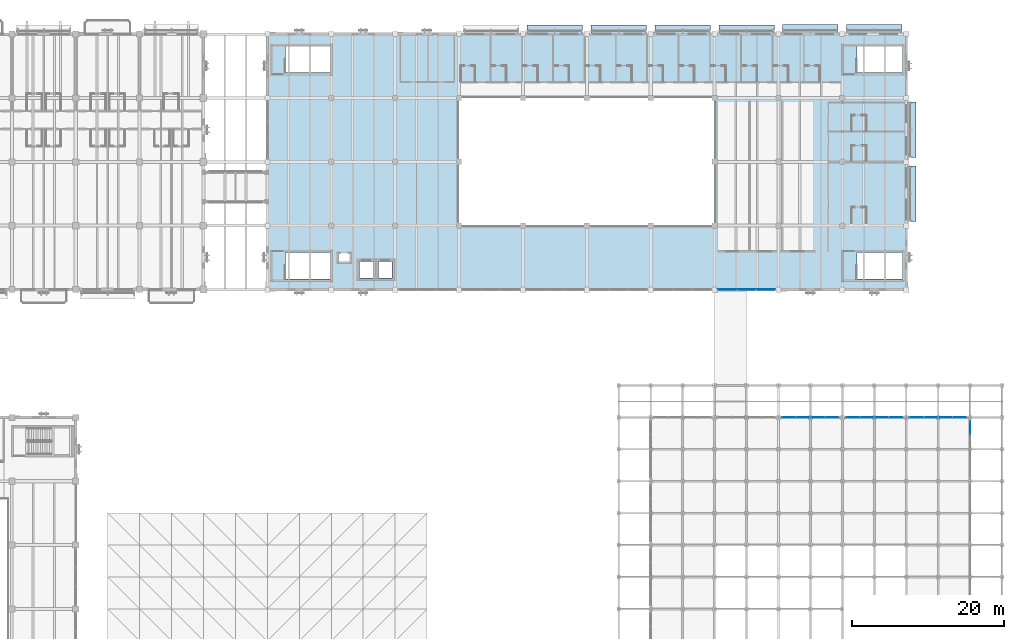
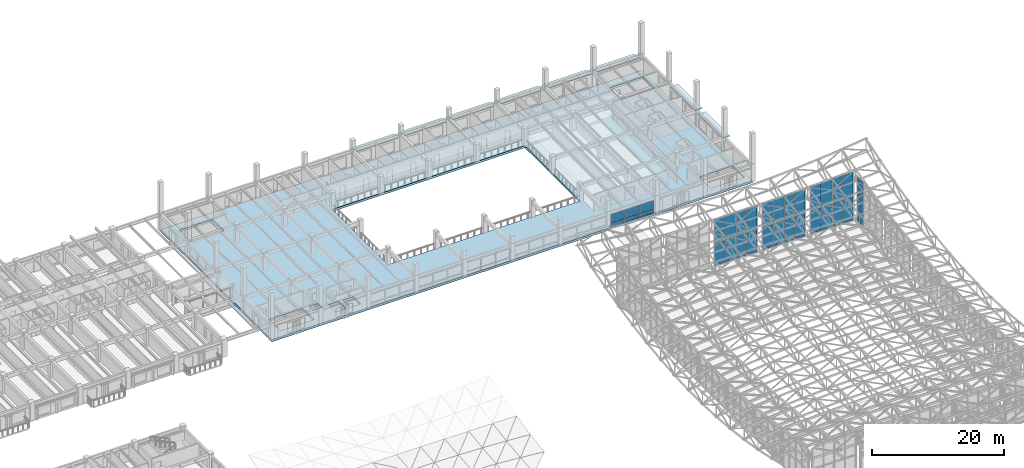
# One storey, part 72 of 123: 40 plates, 1 slab, 16 elements without a shape of their own.
"""IFC4 building model written with IfcOpenShell, lengths in metres."""

from ifc_helpers import new_model, si_unit, direction, frame, origin, origin_2d, place, context, subcontext, project, spatial, polyline, rectangle, outline, extrude, material, layer, layer_set, type_object, element, aggregate, save


model = new_model("IFC4")

# Units and contexts
model_context = context("Model", 3, precision=1e-05, world=origin(), true_north=direction((0.0, 1.0)))
body_context = subcontext(model_context, "Body", "Model", "MODEL_VIEW")
ifc_project = project(units=[si_unit("LENGTHUNIT", "METRE"), si_unit("AREAUNIT", "SQUARE_METRE"), si_unit("VOLUMEUNIT", "CUBIC_METRE"), si_unit("PLANEANGLEUNIT", "RADIAN"), si_unit("MASSUNIT", "GRAM", prefix="KILO")], contexts=[model_context])

# Site, building, storey
site_placement = place(None, origin())
site = spatial("IfcSite", under=ifc_project, at=site_placement, CompositionType="ELEMENT")
building_placement = place(site_placement, origin())
building = spatial("IfcBuilding", under=site, at=building_placement, Name="Cumbredor Promenade Congress Hotel", CompositionType="ELEMENT")
storey_placement = place(building_placement, frame((0.0, 0.0, 11.760009765625)))
storey = spatial("IfcBuildingStorey", under=building, at=storey_placement, Name="L03", CompositionType="ELEMENT", Elevation=11.760009765625)

# Curtain wall, plates
ifc_material_1 = material(Name="Thermally broken anodized aluminium and low-E glass", Category="aluminium")
curtain_wall_type_1 = type_object("IfcCurtainWallType", Name="Stepped Pavilion Clerestory Curtain Wall CW-06", PredefinedType="NOTDEFINED", material=ifc_material_1)
curtain_wall_1_placement = place(storey_placement, origin())
curtain_wall_1 = element("IfcCurtainWall", 1, at=curtain_wall_1_placement, inside=storey, type_object=curtain_wall_type_1, Name="Grand Ballroom Pavilion N Glazed Clerestory 5", PredefinedType="NOTDEFINED")
ifc_material_2 = material(Name="Laminated low-E solar-control glass", Category="glass")
ifc_layer_1 = layer(ifc_material_2, 0.031982421875, Name="Laminated low-E solar-control glass", Category="glass")
ifc_layer_set_1 = layer_set([ifc_layer_1], Name="Laminated low-E solar-control glass")
plate_type_1 = type_object("IfcPlateType", Name="Clerestory Glazed Vision Panel PNL-07", PredefinedType="CURTAIN_PANEL", material=ifc_layer_set_1)
plate_1_placement = place(storey_placement, frame((160.969970703125, 67.199951171875, 0.169921875), z_axis=(0.0, 0.0, 1.0), x_axis=(1.0, 0.0, 0.0)))
plate_1 = element("IfcPlate", 2, at=plate_1_placement, type_object=plate_type_1, Name="Grand Ballroom Pavilion N Glazed Clerestory 5 Glazing Panel 1.1", PredefinedType="CURTAIN_PANEL", context=body_context, shape_type="SweptSolid", body=[
    extrude(rectangle(XDim=1.77490234375, YDim=0.031982421875, at=origin_2d()), origin(), (0.0, 0.0, 1.0), 4.179931640625),
])
plate_2_placement = place(storey_placement, frame((160.969970703125, 67.199951171875, 4.530029296875), z_axis=(0.0, 0.0, 1.0), x_axis=(1.0, 0.0, 0.0)))
plate_2 = element("IfcPlate", 3, at=plate_2_placement, type_object=plate_type_1, Name="Grand Ballroom Pavilion N Glazed Clerestory 5 Glazing Panel 1.2", PredefinedType="CURTAIN_PANEL", context=body_context, shape_type="SweptSolid", body=[
    extrude(rectangle(XDim=1.77490234375, YDim=0.031982421875, at=origin_2d()), origin(), (0.0, 0.0, 1.0), 4.169921875),
])
plate_3_placement = place(storey_placement, frame((162.830078125, 67.199951171875, 0.169921875), z_axis=(0.0, 0.0, 1.0), x_axis=(1.0, 0.0, 0.0)))
plate_3 = element("IfcPlate", 4, at=plate_3_placement, type_object=plate_type_1, Name="Grand Ballroom Pavilion N Glazed Clerestory 5 Glazing Panel 2.1", PredefinedType="CURTAIN_PANEL", context=body_context, shape_type="SweptSolid", body=[
    extrude(rectangle(XDim=1.77490234375, YDim=0.031982421875, at=origin_2d()), origin(), (0.0, 0.0, 1.0), 4.179931640625),
])
plate_4_placement = place(storey_placement, frame((162.830078125, 67.199951171875, 4.530029296875), z_axis=(0.0, 0.0, 1.0), x_axis=(1.0, 0.0, 0.0)))
plate_4 = element("IfcPlate", 5, at=plate_4_placement, type_object=plate_type_1, Name="Grand Ballroom Pavilion N Glazed Clerestory 5 Glazing Panel 2.2", PredefinedType="CURTAIN_PANEL", context=body_context, shape_type="SweptSolid", body=[
    extrude(rectangle(XDim=1.77490234375, YDim=0.031982421875, at=origin_2d()), origin(), (0.0, 0.0, 1.0), 4.169921875),
])
aggregate(curtain_wall_1, [plate_1, plate_2, plate_3, plate_4])

curtain_wall_2_placement = place(storey_placement, origin())
curtain_wall_2 = element("IfcCurtainWall", 6, at=curtain_wall_2_placement, inside=storey, type_object=curtain_wall_type_1, Name="Grand Ballroom Pavilion N Glazed Clerestory 6", PredefinedType="NOTDEFINED")
plate_5_placement = place(storey_placement, frame((164.77001953125, 67.199951171875, 0.169921875), z_axis=(0.0, 0.0, 1.0), x_axis=(1.0, 0.0, 0.0)))
plate_5 = element("IfcPlate", 7, at=plate_5_placement, type_object=plate_type_1, Name="Grand Ballroom Pavilion N Glazed Clerestory 6 Glazing Panel 1.1", PredefinedType="CURTAIN_PANEL", context=body_context, shape_type="SweptSolid", body=[
    extrude(rectangle(XDim=1.77490234375, YDim=0.031982421875, at=origin_2d()), origin(), (0.0, 0.0, 1.0), 4.179931640625),
])
plate_6_placement = place(storey_placement, frame((164.77001953125, 67.199951171875, 4.530029296875), z_axis=(0.0, 0.0, 1.0), x_axis=(1.0, 0.0, 0.0)))
plate_6 = element("IfcPlate", 8, at=plate_6_placement, type_object=plate_type_1, Name="Grand Ballroom Pavilion N Glazed Clerestory 6 Glazing Panel 1.2", PredefinedType="CURTAIN_PANEL", context=body_context, shape_type="SweptSolid", body=[
    extrude(rectangle(XDim=1.77490234375, YDim=0.031982421875, at=origin_2d()), origin(), (0.0, 0.0, 1.0), 4.169921875),
])
plate_7_placement = place(storey_placement, frame((166.6298828125, 67.199951171875, 0.169921875), z_axis=(0.0, 0.0, 1.0), x_axis=(1.0, 0.0, 0.0)))
plate_7 = element("IfcPlate", 9, at=plate_7_placement, type_object=plate_type_1, Name="Grand Ballroom Pavilion N Glazed Clerestory 6 Glazing Panel 2.1", PredefinedType="CURTAIN_PANEL", context=body_context, shape_type="SweptSolid", body=[
    extrude(rectangle(XDim=1.77490234375, YDim=0.031982421875, at=origin_2d()), origin(), (0.0, 0.0, 1.0), 4.179931640625),
])
plate_8_placement = place(storey_placement, frame((166.6298828125, 67.199951171875, 4.530029296875), z_axis=(0.0, 0.0, 1.0), x_axis=(1.0, 0.0, 0.0)))
plate_8 = element("IfcPlate", 10, at=plate_8_placement, type_object=plate_type_1, Name="Grand Ballroom Pavilion N Glazed Clerestory 6 Glazing Panel 2.2", PredefinedType="CURTAIN_PANEL", context=body_context, shape_type="SweptSolid", body=[
    extrude(rectangle(XDim=1.77490234375, YDim=0.031982421875, at=origin_2d()), origin(), (0.0, 0.0, 1.0), 4.169921875),
])
aggregate(curtain_wall_2, [plate_5, plate_6, plate_7, plate_8])

curtain_wall_3_placement = place(storey_placement, origin())
curtain_wall_3 = element("IfcCurtainWall", 11, at=curtain_wall_3_placement, inside=storey, type_object=curtain_wall_type_1, Name="Grand Ballroom Pavilion N Glazed Clerestory 7", PredefinedType="NOTDEFINED")
plate_9_placement = place(storey_placement, frame((169.3701171875, 67.199951171875, 0.169921875), z_axis=(0.0, 0.0, 1.0), x_axis=(1.0, 0.0, 0.0)))
plate_9 = element("IfcPlate", 12, at=plate_9_placement, type_object=plate_type_1, Name="Grand Ballroom Pavilion N Glazed Clerestory 7 Glazing Panel 1.1", PredefinedType="CURTAIN_PANEL", context=body_context, shape_type="SweptSolid", body=[
    extrude(rectangle(XDim=1.77490234375, YDim=0.031982421875, at=origin_2d()), origin(), (0.0, 0.0, 1.0), 4.179931640625),
])
plate_10_placement = place(storey_placement, frame((169.3701171875, 67.199951171875, 4.530029296875), z_axis=(0.0, 0.0, 1.0), x_axis=(1.0, 0.0, 0.0)))
plate_10 = element("IfcPlate", 13, at=plate_10_placement, type_object=plate_type_1, Name="Grand Ballroom Pavilion N Glazed Clerestory 7 Glazing Panel 1.2", PredefinedType="CURTAIN_PANEL", context=body_context, shape_type="SweptSolid", body=[
    extrude(rectangle(XDim=1.77490234375, YDim=0.031982421875, at=origin_2d()), origin(), (0.0, 0.0, 1.0), 4.18994140625),
])
plate_11_placement = place(storey_placement, frame((171.22998046875, 67.199951171875, 0.169921875), z_axis=(0.0, 0.0, 1.0), x_axis=(1.0, 0.0, 0.0)))
plate_11 = element("IfcPlate", 14, at=plate_11_placement, type_object=plate_type_1, Name="Grand Ballroom Pavilion N Glazed Clerestory 7 Glazing Panel 2.1", PredefinedType="CURTAIN_PANEL", context=body_context, shape_type="SweptSolid", body=[
    extrude(rectangle(XDim=1.77490234375, YDim=0.031982421875, at=origin_2d()), origin(), (0.0, 0.0, 1.0), 4.179931640625),
])
plate_12_placement = place(storey_placement, frame((171.22998046875, 67.199951171875, 4.530029296875), z_axis=(0.0, 0.0, 1.0), x_axis=(1.0, 0.0, 0.0)))
plate_12 = element("IfcPlate", 15, at=plate_12_placement, type_object=plate_type_1, Name="Grand Ballroom Pavilion N Glazed Clerestory 7 Glazing Panel 2.2", PredefinedType="CURTAIN_PANEL", context=body_context, shape_type="SweptSolid", body=[
    extrude(rectangle(XDim=1.77490234375, YDim=0.031982421875, at=origin_2d()), origin(), (0.0, 0.0, 1.0), 4.18994140625),
])
aggregate(curtain_wall_3, [plate_9, plate_10, plate_11, plate_12])

curtain_wall_4_placement = place(storey_placement, origin())
curtain_wall_4 = element("IfcCurtainWall", 16, at=curtain_wall_4_placement, inside=storey, type_object=curtain_wall_type_1, Name="Grand Ballroom Pavilion N Glazed Clerestory 8", PredefinedType="NOTDEFINED")
plate_13_placement = place(storey_placement, frame((173.169921875, 67.199951171875, 0.169921875), z_axis=(0.0, 0.0, 1.0), x_axis=(1.0, 0.0, 0.0)))
plate_13 = element("IfcPlate", 17, at=plate_13_placement, type_object=plate_type_1, Name="Grand Ballroom Pavilion N Glazed Clerestory 8 Glazing Panel 1.1", PredefinedType="CURTAIN_PANEL", context=body_context, shape_type="SweptSolid", body=[
    extrude(rectangle(XDim=1.77490234375, YDim=0.031982421875, at=origin_2d()), origin(), (0.0, 0.0, 1.0), 4.219970703125),
])
plate_14_placement = place(storey_placement, frame((173.169921875, 67.199951171875, 4.570068359375), z_axis=(0.0, 0.0, 1.0), x_axis=(1.0, 0.0, 0.0)))
plate_14 = element("IfcPlate", 18, at=plate_14_placement, type_object=plate_type_1, Name="Grand Ballroom Pavilion N Glazed Clerestory 8 Glazing Panel 1.2", PredefinedType="CURTAIN_PANEL", context=body_context, shape_type="SweptSolid", body=[
    extrude(rectangle(XDim=1.77490234375, YDim=0.031982421875, at=origin_2d()), origin(), (0.0, 0.0, 1.0), 4.22998046875),
])
plate_15_placement = place(storey_placement, frame((175.030029296875, 67.199951171875, 0.169921875), z_axis=(0.0, 0.0, 1.0), x_axis=(1.0, 0.0, 0.0)))
plate_15 = element("IfcPlate", 19, at=plate_15_placement, type_object=plate_type_1, Name="Grand Ballroom Pavilion N Glazed Clerestory 8 Glazing Panel 2.1", PredefinedType="CURTAIN_PANEL", context=body_context, shape_type="SweptSolid", body=[
    extrude(rectangle(XDim=1.77490234375, YDim=0.031982421875, at=origin_2d()), origin(), (0.0, 0.0, 1.0), 4.219970703125),
])
plate_16_placement = place(storey_placement, frame((175.030029296875, 67.199951171875, 4.570068359375), z_axis=(0.0, 0.0, 1.0), x_axis=(1.0, 0.0, 0.0)))
plate_16 = element("IfcPlate", 20, at=plate_16_placement, type_object=plate_type_1, Name="Grand Ballroom Pavilion N Glazed Clerestory 8 Glazing Panel 2.2", PredefinedType="CURTAIN_PANEL", context=body_context, shape_type="SweptSolid", body=[
    extrude(rectangle(XDim=1.77490234375, YDim=0.031982421875, at=origin_2d()), origin(), (0.0, 0.0, 1.0), 4.22998046875),
])
aggregate(curtain_wall_4, [plate_13, plate_14, plate_15, plate_16])

curtain_wall_5_placement = place(storey_placement, origin())
curtain_wall_5 = element("IfcCurtainWall", 21, at=curtain_wall_5_placement, inside=storey, type_object=curtain_wall_type_1, Name="Grand Ballroom Pavilion N Glazed Clerestory 9", PredefinedType="NOTDEFINED")
plate_17_placement = place(storey_placement, frame((177.77001953125, 67.199951171875, 0.169921875), z_axis=(0.0, 0.0, 1.0), x_axis=(1.0, 0.0, 0.0)))
plate_17 = element("IfcPlate", 22, at=plate_17_placement, type_object=plate_type_1, Name="Grand Ballroom Pavilion N Glazed Clerestory 9 Glazing Panel 1.1", PredefinedType="CURTAIN_PANEL", context=body_context, shape_type="SweptSolid", body=[
    extrude(rectangle(XDim=1.77490234375, YDim=0.031982421875, at=origin_2d()), origin(), (0.0, 0.0, 1.0), 4.280029296875),
])
plate_18_placement = place(storey_placement, frame((177.77001953125, 67.199951171875, 4.6298828125), z_axis=(0.0, 0.0, 1.0), x_axis=(1.0, 0.0, 0.0)))
plate_18 = element("IfcPlate", 23, at=plate_18_placement, type_object=plate_type_1, Name="Grand Ballroom Pavilion N Glazed Clerestory 9 Glazing Panel 1.2", PredefinedType="CURTAIN_PANEL", context=body_context, shape_type="SweptSolid", body=[
    extrude(rectangle(XDim=1.77490234375, YDim=0.031982421875, at=origin_2d()), origin(), (0.0, 0.0, 1.0), 4.2900390625),
])
plate_19_placement = place(storey_placement, frame((179.6298828125, 67.199951171875, 0.169921875), z_axis=(0.0, 0.0, 1.0), x_axis=(1.0, 0.0, 0.0)))
plate_19 = element("IfcPlate", 24, at=plate_19_placement, type_object=plate_type_1, Name="Grand Ballroom Pavilion N Glazed Clerestory 9 Glazing Panel 2.1", PredefinedType="CURTAIN_PANEL", context=body_context, shape_type="SweptSolid", body=[
    extrude(rectangle(XDim=1.77490234375, YDim=0.031982421875, at=origin_2d()), origin(), (0.0, 0.0, 1.0), 4.280029296875),
])
plate_20_placement = place(storey_placement, frame((179.6298828125, 67.199951171875, 4.6298828125), z_axis=(0.0, 0.0, 1.0), x_axis=(1.0, 0.0, 0.0)))
plate_20 = element("IfcPlate", 25, at=plate_20_placement, type_object=plate_type_1, Name="Grand Ballroom Pavilion N Glazed Clerestory 9 Glazing Panel 2.2", PredefinedType="CURTAIN_PANEL", context=body_context, shape_type="SweptSolid", body=[
    extrude(rectangle(XDim=1.77490234375, YDim=0.031982421875, at=origin_2d()), origin(), (0.0, 0.0, 1.0), 4.2900390625),
])
aggregate(curtain_wall_5, [plate_17, plate_18, plate_19, plate_20])

curtain_wall_6_placement = place(storey_placement, origin())
curtain_wall_6 = element("IfcCurtainWall", 26, at=curtain_wall_6_placement, inside=storey, type_object=curtain_wall_type_1, Name="Grand Ballroom Pavilion N Glazed Clerestory 10", PredefinedType="NOTDEFINED")
plate_21_placement = place(storey_placement, frame((181.570068359375, 67.199951171875, 0.169921875), z_axis=(0.0, 0.0, 1.0), x_axis=(1.0, 0.0, 0.0)))
plate_21 = element("IfcPlate", 27, at=plate_21_placement, type_object=plate_type_1, Name="Grand Ballroom Pavilion N Glazed Clerestory 10 Glazing Panel 1.1", PredefinedType="CURTAIN_PANEL", context=body_context, shape_type="SweptSolid", body=[
    extrude(rectangle(XDim=1.77490234375, YDim=0.031982421875, at=origin_2d()), origin(), (0.0, 0.0, 1.0), 4.3701171875),
])
plate_22_placement = place(storey_placement, frame((181.570068359375, 67.199951171875, 4.719970703125), z_axis=(0.0, 0.0, 1.0), x_axis=(1.0, 0.0, 0.0)))
plate_22 = element("IfcPlate", 28, at=plate_22_placement, type_object=plate_type_1, Name="Grand Ballroom Pavilion N Glazed Clerestory 10 Glazing Panel 1.2", PredefinedType="CURTAIN_PANEL", context=body_context, shape_type="SweptSolid", body=[
    extrude(rectangle(XDim=1.77490234375, YDim=0.031982421875, at=origin_2d()), origin(), (0.0, 0.0, 1.0), 4.3701171875),
])
plate_23_placement = place(storey_placement, frame((183.429931640625, 67.199951171875, 0.169921875), z_axis=(0.0, 0.0, 1.0), x_axis=(1.0, 0.0, 0.0)))
plate_23 = element("IfcPlate", 29, at=plate_23_placement, type_object=plate_type_1, Name="Grand Ballroom Pavilion N Glazed Clerestory 10 Glazing Panel 2.1", PredefinedType="CURTAIN_PANEL", context=body_context, shape_type="SweptSolid", body=[
    extrude(rectangle(XDim=1.77490234375, YDim=0.031982421875, at=origin_2d()), origin(), (0.0, 0.0, 1.0), 4.3701171875),
])
plate_24_placement = place(storey_placement, frame((183.429931640625, 67.199951171875, 4.719970703125), z_axis=(0.0, 0.0, 1.0), x_axis=(1.0, 0.0, 0.0)))
plate_24 = element("IfcPlate", 30, at=plate_24_placement, type_object=plate_type_1, Name="Grand Ballroom Pavilion N Glazed Clerestory 10 Glazing Panel 2.2", PredefinedType="CURTAIN_PANEL", context=body_context, shape_type="SweptSolid", body=[
    extrude(rectangle(XDim=1.77490234375, YDim=0.031982421875, at=origin_2d()), origin(), (0.0, 0.0, 1.0), 4.3701171875),
])
aggregate(curtain_wall_6, [plate_21, plate_22, plate_23, plate_24])

curtain_wall_7_placement = place(storey_placement, origin())
curtain_wall_7 = element("IfcCurtainWall", 31, at=curtain_wall_7_placement, inside=storey, type_object=curtain_wall_type_1, Name="Grand Ballroom Pavilion E Glazed Clerestory 14", PredefinedType="NOTDEFINED")
plate_25_placement = place(storey_placement, frame((184.800048828125, 65.830078125, 0.169921875), z_axis=(0.0, 0.0, 1.0), x_axis=(0.0, 1.0, 0.0)))
plate_25 = element("IfcPlate", 32, at=plate_25_placement, type_object=plate_type_1, Name="Grand Ballroom Pavilion E Glazed Clerestory 14 Glazing Panel 2.1", PredefinedType="CURTAIN_PANEL", context=body_context, shape_type="SweptSolid", body=[
    extrude(rectangle(XDim=1.77490234375, YDim=0.031982421875, at=origin_2d()), origin(), (0.0, 0.0, 1.0), 3.969970703125),
])
plate_26_placement = place(storey_placement, frame((184.800048828125, 65.830078125, 4.31982421875), z_axis=(0.0, 0.0, 1.0), x_axis=(0.0, 1.0, 0.0)))
plate_26 = element("IfcPlate", 33, at=plate_26_placement, type_object=plate_type_1, Name="Grand Ballroom Pavilion E Glazed Clerestory 14 Glazing Panel 2.2", PredefinedType="CURTAIN_PANEL", context=body_context, shape_type="SweptSolid", body=[
    extrude(rectangle(XDim=1.77490234375, YDim=0.031982421875, at=origin_2d()), origin(), (0.0, 0.0, 1.0), 3.969970703125),
])
aggregate(curtain_wall_7, [plate_25, plate_26])

curtain_wall_type_2 = type_object("IfcCurtainWallType", Name="Unitised Forum Curtain Wall CW-02", PredefinedType="NOTDEFINED", material=ifc_material_1)
curtain_wall_8_placement = place(storey_placement, origin())
curtain_wall_8 = element("IfcCurtainWall", 34, at=curtain_wall_8_placement, inside=storey, type_object=curtain_wall_type_2, Name="L03 Pre-Function and Breakout Meeting Forum South Curtain Wall 8", PredefinedType="NOTDEFINED")
ifc_layer_2 = layer(ifc_material_2, 0.028076171875, Name="Laminated low-E solar-control glass", Category="glass")
ifc_layer_set_2 = layer_set([ifc_layer_2], Name="Laminated low-E solar-control glass")
plate_type_2 = type_object("IfcPlateType", Name="Glazed Vision Panel PNL-01", PredefinedType="CURTAIN_PANEL", material=ifc_layer_set_2)
plate_27_placement = place(storey_placement, frame((152.8701171875, 84.0, 0.784912109375), z_axis=(0.0, 0.0, 1.0), x_axis=(1.0, 0.0, 0.0)))
plate_27 = element("IfcPlate", 35, at=plate_27_placement, type_object=plate_type_2, Name="L03 Pre-Function and Breakout Meeting Forum South Curtain Wall 8 Glazing Panel 1.2", PredefinedType="CURTAIN_PANEL", context=body_context, shape_type="SweptSolid", body=[
    extrude(rectangle(XDim=2.465087890625, YDim=0.028076171875, at=origin_2d()), origin(), (0.0, 0.0, 1.0), 1.580078125),
])
plate_28_placement = place(storey_placement, frame((155.39990234375, 84.0, 0.784912109375), z_axis=(0.0, 0.0, 1.0), x_axis=(1.0, 0.0, 0.0)))
plate_28 = element("IfcPlate", 36, at=plate_28_placement, type_object=plate_type_2, Name="L03 Pre-Function and Breakout Meeting Forum South Curtain Wall 8 Glazing Panel 2.2", PredefinedType="CURTAIN_PANEL", context=body_context, shape_type="SweptSolid", body=[
    extrude(rectangle(XDim=2.465087890625, YDim=0.028076171875, at=origin_2d()), origin(), (0.0, 0.0, 1.0), 1.580078125),
])
plate_29_placement = place(storey_placement, frame((157.929931640625, 84.0, 0.784912109375), z_axis=(0.0, 0.0, 1.0), x_axis=(1.0, 0.0, 0.0)))
plate_29 = element("IfcPlate", 37, at=plate_29_placement, type_object=plate_type_2, Name="L03 Pre-Function and Breakout Meeting Forum South Curtain Wall 8 Glazing Panel 3.2", PredefinedType="CURTAIN_PANEL", context=body_context, shape_type="SweptSolid", body=[
    extrude(rectangle(XDim=2.465087890625, YDim=0.028076171875, at=origin_2d()), origin(), (0.0, 0.0, 1.0), 1.580078125),
])

# Curtain wall, plate
curtain_wall_type_3 = type_object("IfcCurtainWallType", Name="Solar Brise-Soleil Screen Assembly CW-07", PredefinedType="NOTDEFINED", material=ifc_material_1)
curtain_wall_9_placement = place(storey_placement, origin())
curtain_wall_9 = element("IfcCurtainWall", 38, at=curtain_wall_9_placement, inside=storey, type_object=curtain_wall_type_3, Name="L03 Hospitality Brise-Soleil Screen 048", PredefinedType="NOTDEFINED")
ifc_material_3 = material(Name="Precast concrete C40/50", Category="concrete")
ifc_layer_3 = layer(ifc_material_3, 0.14501953125, Name="Precast concrete C40/50", Category="concrete")
ifc_layer_set_3 = layer_set([ifc_layer_3], Name="Precast concrete C40/50")
plate_type_3 = type_object("IfcPlateType", Name="Horizontal Precast Sun-Hood Eyebrow Plate 145mm", PredefinedType="USERDEFINED", material=ifc_layer_set_3)
plate_30_placement = place(storey_placement, frame((130.199951171875, 118.155029296875, 2.333984375), z_axis=(0.0, 0.0, 1.0), x_axis=(1.0, 0.0, 0.0)))
plate_30 = element("IfcPlate", 39, at=plate_30_placement, type_object=plate_type_3, Name="L03 Horizontal Sun-Hood Eyebrow 048", ObjectType="SUN HOOD", PredefinedType="USERDEFINED", context=body_context, shape_type="SweptSolid", body=[
    extrude(rectangle(XDim=7.298095703125, YDim=1.27001953125, at=origin_2d()), origin(), (0.0, 0.0, 1.0), 0.14501953125),
])
aggregate(curtain_wall_9, [plate_30])

curtain_wall_10_placement = place(storey_placement, origin())
curtain_wall_10 = element("IfcCurtainWall", 40, at=curtain_wall_10_placement, inside=storey, type_object=curtain_wall_type_3, Name="L03 Hospitality Brise-Soleil Screen 049", PredefinedType="NOTDEFINED")
plate_31_placement = place(storey_placement, frame((138.60009765625, 118.159912109375, 2.333984375), z_axis=(0.0, 0.0, 1.0), x_axis=(1.0, 0.0, 0.0)))
plate_31 = element("IfcPlate", 41, at=plate_31_placement, type_object=plate_type_3, Name="L03 Horizontal Sun-Hood Eyebrow 049", ObjectType="SUN HOOD", PredefinedType="USERDEFINED", context=body_context, shape_type="SweptSolid", body=[
    extrude(rectangle(XDim=7.298095703125, YDim=1.280029296875, at=origin_2d()), origin(), (0.0, 0.0, 1.0), 0.14501953125),
])
aggregate(curtain_wall_10, [plate_31])

curtain_wall_11_placement = place(storey_placement, origin())
curtain_wall_11 = element("IfcCurtainWall", 42, at=curtain_wall_11_placement, inside=storey, type_object=curtain_wall_type_3, Name="L03 Hospitality Brise-Soleil Screen 050", PredefinedType="NOTDEFINED")
plate_32_placement = place(storey_placement, frame((147.0, 118.166259765625, 2.333984375), z_axis=(0.0, 0.0, 1.0), x_axis=(1.0, 0.0, 0.0)))
plate_32 = element("IfcPlate", 43, at=plate_32_placement, type_object=plate_type_3, Name="L03 Horizontal Sun-Hood Eyebrow 050", ObjectType="SUN HOOD", PredefinedType="USERDEFINED", context=body_context, shape_type="SweptSolid", body=[
    extrude(rectangle(XDim=7.298095703125, YDim=1.29248046875, at=origin_2d()), origin(), (0.0, 0.0, 1.0), 0.14501953125),
])
aggregate(curtain_wall_11, [plate_32])

curtain_wall_12_placement = place(storey_placement, origin())
curtain_wall_12 = element("IfcCurtainWall", 44, at=curtain_wall_12_placement, inside=storey, type_object=curtain_wall_type_3, Name="L03 Hospitality Brise-Soleil Screen 051", PredefinedType="NOTDEFINED")
plate_33_placement = place(storey_placement, frame((155.39990234375, 118.172607421875, 2.333984375), z_axis=(0.0, 0.0, 1.0), x_axis=(1.0, 0.0, 0.0)))
plate_33 = element("IfcPlate", 45, at=plate_33_placement, type_object=plate_type_3, Name="L03 Horizontal Sun-Hood Eyebrow 051", ObjectType="SUN HOOD", PredefinedType="USERDEFINED", context=body_context, shape_type="SweptSolid", body=[
    extrude(rectangle(XDim=7.298095703125, YDim=1.304931640625, at=origin_2d()), origin(), (0.0, 0.0, 1.0), 0.14501953125),
])
aggregate(curtain_wall_12, [plate_33])

curtain_wall_13_placement = place(storey_placement, origin())
curtain_wall_13 = element("IfcCurtainWall", 46, at=curtain_wall_13_placement, inside=storey, type_object=curtain_wall_type_3, Name="L03 Hospitality Brise-Soleil Screen 052", PredefinedType="NOTDEFINED")
plate_34_placement = place(storey_placement, frame((163.800048828125, 118.179931640625, 2.333984375), z_axis=(0.0, 0.0, 1.0), x_axis=(1.0, 0.0, 0.0)))
plate_34 = element("IfcPlate", 47, at=plate_34_placement, type_object=plate_type_3, Name="L03 Horizontal Sun-Hood Eyebrow 052", ObjectType="SUN HOOD", PredefinedType="USERDEFINED", context=body_context, shape_type="SweptSolid", body=[
    extrude(rectangle(XDim=7.298095703125, YDim=1.320068359375, at=origin_2d()), origin(), (0.0, 0.0, 1.0), 0.14501953125),
])
aggregate(curtain_wall_13, [plate_34])

curtain_wall_14_placement = place(storey_placement, origin())
curtain_wall_14 = element("IfcCurtainWall", 48, at=curtain_wall_14_placement, inside=storey, type_object=curtain_wall_type_3, Name="L03 Hospitality Brise-Soleil Screen 053", PredefinedType="NOTDEFINED")
plate_35_placement = place(storey_placement, frame((172.199951171875, 118.191162109375, 2.333984375), z_axis=(0.0, 0.0, 1.0), x_axis=(1.0, 0.0, 0.0)))
plate_35 = element("IfcPlate", 49, at=plate_35_placement, type_object=plate_type_3, Name="L03 Horizontal Sun-Hood Eyebrow 053", ObjectType="SUN HOOD", PredefinedType="USERDEFINED", context=body_context, shape_type="SweptSolid", body=[
    extrude(rectangle(XDim=7.298095703125, YDim=1.342529296875, at=origin_2d()), origin(), (0.0, 0.0, 1.0), 0.14501953125),
])
aggregate(curtain_wall_14, [plate_35])

curtain_wall_15_placement = place(storey_placement, origin())
curtain_wall_15 = element("IfcCurtainWall", 50, at=curtain_wall_15_placement, inside=storey, type_object=curtain_wall_type_3, Name="L03 Hospitality Brise-Soleil Screen 054", PredefinedType="NOTDEFINED")
plate_36_placement = place(storey_placement, frame((176.9912109375, 96.60009765625, 2.333984375), z_axis=(0.0, 0.0, 1.0), x_axis=(0.0, 1.0, 0.0)))
plate_36 = element("IfcPlate", 51, at=plate_36_placement, type_object=plate_type_3, Name="L03 Horizontal Sun-Hood Eyebrow 054", ObjectType="SUN HOOD", PredefinedType="USERDEFINED", context=body_context, shape_type="SweptSolid", body=[
    extrude(rectangle(XDim=7.298095703125, YDim=1.342529296875, at=origin_2d()), origin(), (0.0, 0.0, 1.0), 0.14501953125),
])
aggregate(curtain_wall_15, [plate_36])

curtain_wall_16_placement = place(storey_placement, origin())
curtain_wall_16 = element("IfcCurtainWall", 52, at=curtain_wall_16_placement, inside=storey, type_object=curtain_wall_type_3, Name="L03 Hospitality Brise-Soleil Screen 055", PredefinedType="NOTDEFINED")
plate_37_placement = place(storey_placement, frame((176.99755859375, 105.0, 2.333984375), z_axis=(0.0, 0.0, 1.0), x_axis=(0.0, 1.0, 0.0)))
plate_37 = element("IfcPlate", 53, at=plate_37_placement, type_object=plate_type_3, Name="L03 Horizontal Sun-Hood Eyebrow 055", ObjectType="SUN HOOD", PredefinedType="USERDEFINED", context=body_context, shape_type="SweptSolid", body=[
    extrude(rectangle(XDim=7.298095703125, YDim=1.35498046875, at=origin_2d()), origin(), (0.0, 0.0, 1.0), 0.14501953125),
])
aggregate(curtain_wall_16, [plate_37])

# Plate
ifc_material_4 = material(Name="Thermally broken anodized aluminium", Category="aluminium")
ifc_layer_4 = layer(ifc_material_4, 0.0400390625, Name="Thermally broken anodized aluminium", Category="aluminium")
ifc_layer_set_4 = layer_set([ifc_layer_4], Name="Thermally broken anodized aluminium")
plate_type_4 = type_object("IfcPlateType", Name="Insulated Spandrel Panel PNL-06", PredefinedType="CURTAIN_PANEL", material=ifc_layer_set_4)
plate_38_placement = place(storey_placement, frame((152.8701171875, 84.0, 0.125), z_axis=(0.0, 0.0, 1.0), x_axis=(1.0, 0.0, 0.0)))
plate_38 = element("IfcPlate", 54, at=plate_38_placement, type_object=plate_type_4, Name="L03 Pre-Function and Breakout Meeting Forum South Curtain Wall 8 Spandrel Panel 1.1", PredefinedType="CURTAIN_PANEL", context=body_context, shape_type="SweptSolid", body=[
    extrude(rectangle(XDim=2.465087890625, YDim=0.0400390625, at=origin_2d()), origin(), (0.0, 0.0, 1.0), 0.530029296875),
])

plate_39_placement = place(storey_placement, frame((155.39990234375, 84.0, 0.125), z_axis=(0.0, 0.0, 1.0), x_axis=(1.0, 0.0, 0.0)))
plate_39 = element("IfcPlate", 55, at=plate_39_placement, type_object=plate_type_4, Name="L03 Pre-Function and Breakout Meeting Forum South Curtain Wall 8 Spandrel Panel 2.1", PredefinedType="CURTAIN_PANEL", context=body_context, shape_type="SweptSolid", body=[
    extrude(rectangle(XDim=2.465087890625, YDim=0.0400390625, at=origin_2d()), origin(), (0.0, 0.0, 1.0), 0.530029296875),
])

plate_40_placement = place(storey_placement, frame((157.929931640625, 84.0, 0.125), z_axis=(0.0, 0.0, 1.0), x_axis=(1.0, 0.0, 0.0)))
plate_40 = element("IfcPlate", 56, at=plate_40_placement, type_object=plate_type_4, Name="L03 Pre-Function and Breakout Meeting Forum South Curtain Wall 8 Spandrel Panel 3.1", PredefinedType="CURTAIN_PANEL", context=body_context, shape_type="SweptSolid", body=[
    extrude(rectangle(XDim=2.465087890625, YDim=0.0400390625, at=origin_2d()), origin(), (0.0, 0.0, 1.0), 0.530029296875),
])

aggregate(curtain_wall_8, [plate_38, plate_27, plate_39, plate_28, plate_40, plate_29])

# Slab
ifc_material_5 = material(Name="Concrete C40/50", Category="concrete")
ifc_layer_5 = layer(ifc_material_5, 0.39990234375, Name="Concrete C40/50", Category="concrete")
ifc_layer_set_5 = layer_set([ifc_layer_5], Name="Concrete C40/50")
slab_type = type_object("IfcSlabType", Name="Transfer Floor Slab 400mm", PredefinedType="FLOOR", material=ifc_layer_set_5)
slab_placement = place(storey_placement, frame((0.0, 0.0, -0.39990234375)))
element("IfcSlab", 57, at=slab_placement, inside=storey, type_object=slab_type, Name="L03 Pre-Function and Breakout Meeting Forum Floor Slab", PredefinedType="FLOOR", context=body_context, shape_type="SweptSolid", body=[
    extrude(outline(polyline([(92.39990234375, 84.0), (176.39990234375, 84.0), (176.39990234375, 117.60009765625), (92.39990234375, 117.60009765625), (92.39990234375, 84.0)]), holes=[polyline([(94.75, 85.39990234375), (100.64990234375, 85.39990234375), (100.64990234375, 88.85009765625), (94.75, 88.85009765625), (94.75, 85.39990234375)]), polyline([(169.919921875, 85.39990234375), (175.820068359375, 85.39990234375), (175.820068359375, 88.85009765625), (169.919921875, 88.85009765625), (169.919921875, 85.39990234375)]), polyline([(94.75, 112.550048828125), (100.64990234375, 112.550048828125), (100.64990234375, 116.0), (94.75, 116.0), (94.75, 112.550048828125)]), polyline([(169.919921875, 112.550048828125), (175.820068359375, 112.550048828125), (175.820068359375, 116.0), (169.919921875, 116.0), (169.919921875, 112.550048828125)]), polyline([(104.5, 85.5), (106.300048828125, 85.5), (106.300048828125, 87.699951171875), (104.5, 87.699951171875), (104.5, 85.5)]), polyline([(107.0, 85.5), (108.800048828125, 85.5), (108.800048828125, 87.699951171875), (107.0, 87.699951171875), (107.0, 85.5)]), polyline([(101.699951171875, 87.60009765625), (103.300048828125, 87.60009765625), (103.300048828125, 88.800048828125), (101.699951171875, 88.800048828125), (101.699951171875, 87.60009765625)]), polyline([(117.60009765625, 92.39990234375), (151.199951171875, 92.39990234375), (151.199951171875, 109.199951171875), (117.60009765625, 109.199951171875), (117.60009765625, 92.39990234375)])]), origin(), (0.0, 0.0, 1.0), 0.39990234375),
])

save(model, "model.ifc")
